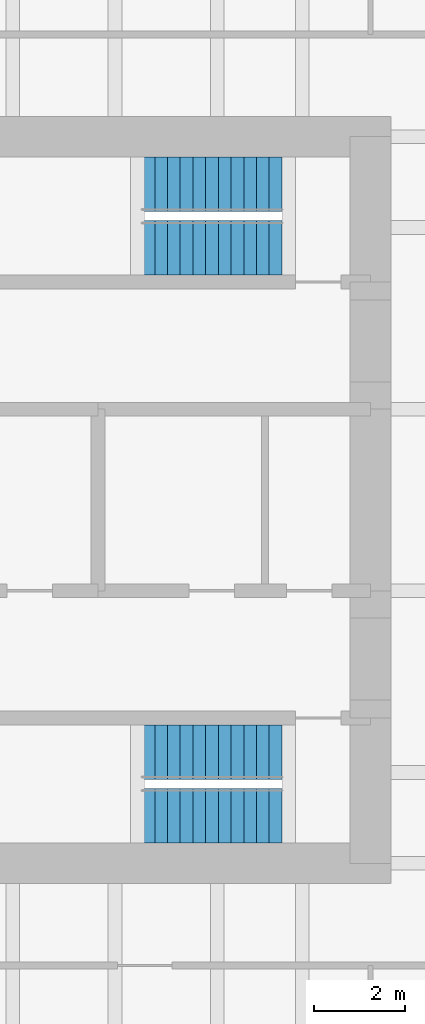
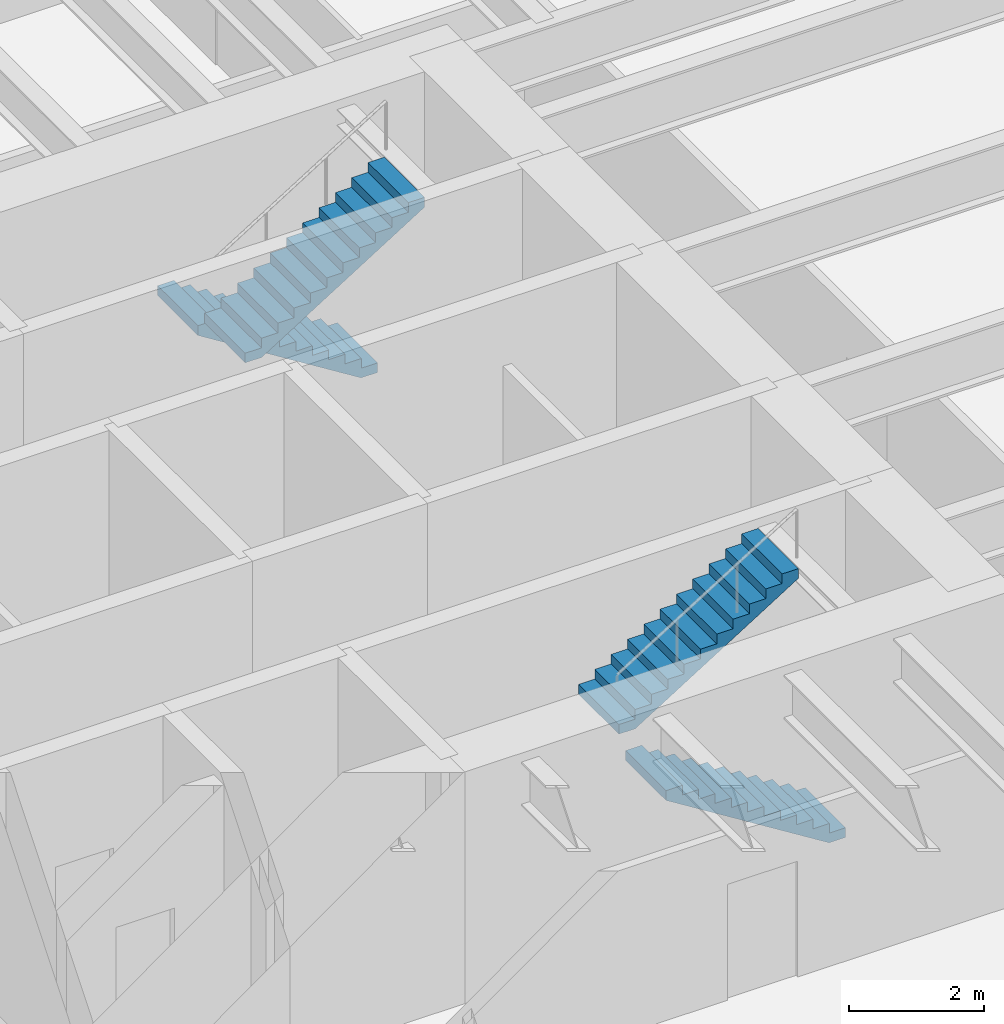
# One storey, part 15 of 16: 4 stair flights, 2 elements without a shape of their own.
"""IFC4 building model written with IfcOpenShell, lengths in metres."""

from ifc_helpers import new_model, si_unit, direction, frame, origin, place, context, subcontext, project, spatial, polyline, outline, extrude, material, type_object, element, aggregate, save


model = new_model("IFC4")

# Units and contexts
model_context = context("Model", 3, precision=1e-05, world=origin(), true_north=direction((0.0, 1.0)))
body_context = subcontext(model_context, "Body", "Model", "MODEL_VIEW")
ifc_project = project(units=[si_unit("LENGTHUNIT", "METRE"), si_unit("AREAUNIT", "SQUARE_METRE"), si_unit("VOLUMEUNIT", "CUBIC_METRE"), si_unit("PLANEANGLEUNIT", "RADIAN"), si_unit("MASSUNIT", "GRAM", prefix="KILO")], contexts=[model_context])

# Site, building, storey
site_placement = place(None, origin())
site = spatial("IfcSite", under=ifc_project, at=site_placement, CompositionType="ELEMENT")
building_placement = place(site_placement, origin())
building = spatial("IfcBuilding", under=site, at=building_placement, Name="Rheinbord Bourse Tower", CompositionType="ELEMENT")
storey_placement = place(building_placement, frame((0.0, 0.0, 171.89990234375)))
storey = spatial("IfcBuildingStorey", under=building, at=storey_placement, Name="L38", CompositionType="ELEMENT", Elevation=171.89990234375)

# Stair, stair flights
ifc_material_1 = material(Name="Concrete C30/37", Category="concrete")
stair_type = type_object("IfcStairType", Name="CORE STAIR HALF TURN 4200", PredefinedType="HALF_TURN_STAIR", material=ifc_material_1)
stair_1_placement = place(storey_placement, origin())
stair_1 = element("IfcStair", 1, at=stair_1_placement, inside=storey, type_object=stair_type, Name="Stair ST3 L38, type CS6", PredefinedType="HALF_TURN_STAIR")
ifc_material_2 = material(Name="Concrete C30/37", Category="concrete")
stair_flight_type = type_object("IfcStairFlightType", Name="CORE STAIR FLIGHT 1200, 12 RISERS", PredefinedType="STRAIGHT", material=ifc_material_2)
stair_flight_1_placement = place(storey_placement, frame((52.050048828125, 17.050048828125, 0.0), z_axis=(0.0, 0.0, 1.0), x_axis=(-1.0, 0.0, 0.0)))
stair_flight_1 = element("IfcStairFlight", 2, at=stair_flight_1_placement, type_object=stair_flight_type, Name="STAIR L38 ST3 F1", NumberOfRisers=12, NumberOfTreads=11, PredefinedType="STRAIGHT", RiserHeight=0.175, TreadLength=0.28, context=body_context, shape_type="SweptSolid", body=[
    extrude(outline(polyline([(0.0, 0.0), (0.0, 0.175048828125), (0.280029296875, 0.175048828125), (0.280029296875, 0.35009765625), (0.56005859375, 0.35009765625), (0.56005859375, 0.52490234375), (0.840087890625, 0.52490234375), (0.840087890625, 0.699951171875), (1.1201171875, 0.699951171875), (1.1201171875, 0.875), (1.39990234375, 0.875), (1.39990234375, 1.050048828125), (1.679931640625, 1.050048828125), (1.679931640625, 1.22509765625), (1.9599609375, 1.22509765625), (1.9599609375, 1.39990234375), (2.239990234375, 1.39990234375), (2.239990234375, 1.574951171875), (2.52001953125, 1.574951171875), (2.52001953125, 1.75), (2.800048828125, 1.75), (2.800048828125, 1.925048828125), (3.080078125, 1.925048828125), (3.080078125, 2.10009765625), (3.080078125, 1.748291015625), (0.28271484375, 0.0), (0.0, 0.0)])), frame((0.0, 0.60009765625, 0.0), z_axis=(0.0, -1.0, 0.0), x_axis=(1.0, 0.0, 0.0)), (0.0, 0.0, 1.0), 1.199951171875),
])
stair_flight_2_placement = place(storey_placement, frame((48.969970703125, 18.449951171875, 2.10009765625), z_axis=(0.0, 0.0, 1.0), x_axis=(1.0, 0.0, 0.0)))
stair_flight_2 = element("IfcStairFlight", 3, at=stair_flight_2_placement, type_object=stair_flight_type, Name="STAIR L38 ST3 F2", NumberOfRisers=12, NumberOfTreads=11, PredefinedType="STRAIGHT", RiserHeight=0.175, TreadLength=0.28, context=body_context, shape_type="SweptSolid", body=[
    extrude(outline(polyline([(0.0, 0.0), (0.0, 0.175048828125), (0.280029296875, 0.175048828125), (0.280029296875, 0.35009765625), (0.56005859375, 0.35009765625), (0.56005859375, 0.52490234375), (0.840087890625, 0.52490234375), (0.840087890625, 0.699951171875), (1.1201171875, 0.699951171875), (1.1201171875, 0.875), (1.39990234375, 0.875), (1.39990234375, 1.050048828125), (1.679931640625, 1.050048828125), (1.679931640625, 1.22509765625), (1.9599609375, 1.22509765625), (1.9599609375, 1.39990234375), (2.239990234375, 1.39990234375), (2.239990234375, 1.574951171875), (2.52001953125, 1.574951171875), (2.52001953125, 1.75), (2.800048828125, 1.75), (2.800048828125, 1.925048828125), (3.080078125, 1.925048828125), (3.080078125, 2.10009765625), (3.080078125, 1.748291015625), (0.28271484375, 0.0), (0.0, 0.0)])), frame((0.0, 0.60009765625, 0.0), z_axis=(0.0, -1.0, 0.0), x_axis=(1.0, 0.0, 0.0)), (0.0, 0.0, 1.0), 1.199951171875),
])
aggregate(stair_1, [stair_flight_1, stair_flight_2])

stair_2_placement = place(storey_placement, origin())
stair_2 = element("IfcStair", 4, at=stair_2_placement, inside=storey, type_object=stair_type, Name="Stair ST4 L38, type CS6", PredefinedType="HALF_TURN_STAIR")
stair_flight_3_placement = place(storey_placement, frame((52.050048828125, 30.949951171875, 0.0), z_axis=(0.0, 0.0, 1.0), x_axis=(-1.0, 0.0, 0.0)))
stair_flight_3 = element("IfcStairFlight", 5, at=stair_flight_3_placement, type_object=stair_flight_type, Name="STAIR L38 ST4 F1", NumberOfRisers=12, NumberOfTreads=11, PredefinedType="STRAIGHT", RiserHeight=0.175, TreadLength=0.28, context=body_context, shape_type="SweptSolid", body=[
    extrude(outline(polyline([(0.0, 0.0), (0.0, 0.175048828125), (0.280029296875, 0.175048828125), (0.280029296875, 0.35009765625), (0.56005859375, 0.35009765625), (0.56005859375, 0.52490234375), (0.840087890625, 0.52490234375), (0.840087890625, 0.699951171875), (1.1201171875, 0.699951171875), (1.1201171875, 0.875), (1.39990234375, 0.875), (1.39990234375, 1.050048828125), (1.679931640625, 1.050048828125), (1.679931640625, 1.22509765625), (1.9599609375, 1.22509765625), (1.9599609375, 1.39990234375), (2.239990234375, 1.39990234375), (2.239990234375, 1.574951171875), (2.52001953125, 1.574951171875), (2.52001953125, 1.75), (2.800048828125, 1.75), (2.800048828125, 1.925048828125), (3.080078125, 1.925048828125), (3.080078125, 2.10009765625), (3.080078125, 1.748291015625), (0.28271484375, 0.0), (0.0, 0.0)])), frame((0.0, 0.60009765625, 0.0), z_axis=(0.0, -1.0, 0.0), x_axis=(1.0, 0.0, 0.0)), (0.0, 0.0, 1.0), 1.199951171875),
])
stair_flight_4_placement = place(storey_placement, frame((48.969970703125, 29.550048828125, 2.10009765625), z_axis=(0.0, 0.0, 1.0), x_axis=(1.0, 0.0, 0.0)))
stair_flight_4 = element("IfcStairFlight", 6, at=stair_flight_4_placement, type_object=stair_flight_type, Name="STAIR L38 ST4 F2", NumberOfRisers=12, NumberOfTreads=11, PredefinedType="STRAIGHT", RiserHeight=0.175, TreadLength=0.28, context=body_context, shape_type="SweptSolid", body=[
    extrude(outline(polyline([(0.0, 0.0), (0.0, 0.175048828125), (0.280029296875, 0.175048828125), (0.280029296875, 0.35009765625), (0.56005859375, 0.35009765625), (0.56005859375, 0.52490234375), (0.840087890625, 0.52490234375), (0.840087890625, 0.699951171875), (1.1201171875, 0.699951171875), (1.1201171875, 0.875), (1.39990234375, 0.875), (1.39990234375, 1.050048828125), (1.679931640625, 1.050048828125), (1.679931640625, 1.22509765625), (1.9599609375, 1.22509765625), (1.9599609375, 1.39990234375), (2.239990234375, 1.39990234375), (2.239990234375, 1.574951171875), (2.52001953125, 1.574951171875), (2.52001953125, 1.75), (2.800048828125, 1.75), (2.800048828125, 1.925048828125), (3.080078125, 1.925048828125), (3.080078125, 2.10009765625), (3.080078125, 1.748291015625), (0.28271484375, 0.0), (0.0, 0.0)])), frame((0.0, 0.60009765625, 0.0), z_axis=(0.0, -1.0, 0.0), x_axis=(1.0, 0.0, 0.0)), (0.0, 0.0, 1.0), 1.199951171875),
])
aggregate(stair_2, [stair_flight_3, stair_flight_4])

save(model, "model.ifc")
